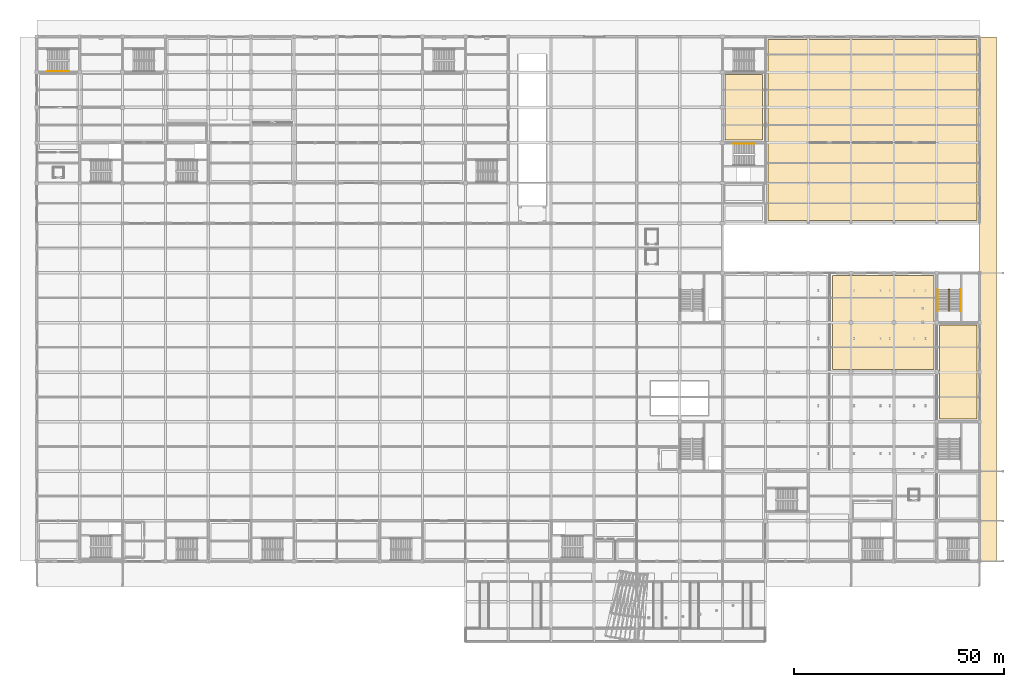
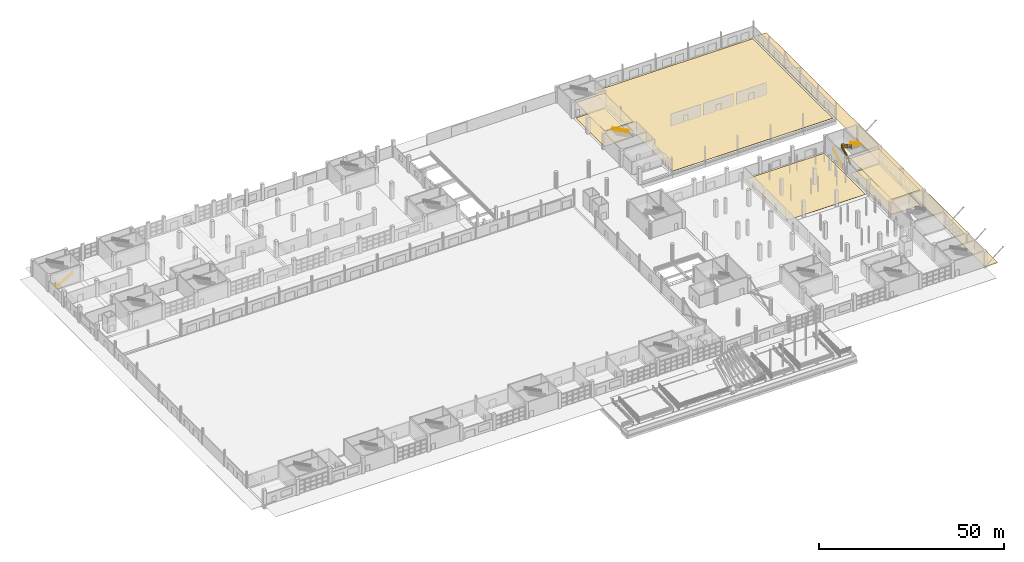
# One storey, part 121 of 124: 7 coverings, 5 railings.
"""IFC4 building model written with IfcOpenShell, lengths in metres."""

from ifc_helpers import new_model, si_unit, direction, frame, origin, origin_2d, place, context, subcontext, project, spatial, polyline, circle, outline, extrude, material, layer, layer_set, type_object, element, save


model = new_model("IFC4")

# Units and contexts
model_context = context("Model", 3, precision=1e-05, world=origin(), true_north=direction((0.0, 1.0)))
body_context = subcontext(model_context, "Body", "Model", "MODEL_VIEW")
ifc_project = project(units=[si_unit("LENGTHUNIT", "METRE"), si_unit("AREAUNIT", "SQUARE_METRE"), si_unit("VOLUMEUNIT", "CUBIC_METRE"), si_unit("PLANEANGLEUNIT", "RADIAN"), si_unit("MASSUNIT", "GRAM", prefix="KILO")], contexts=[model_context])

# Site, building, storey
site_placement = place(None, origin())
site = spatial("IfcSite", under=ifc_project, at=site_placement, CompositionType="ELEMENT")
building_placement = place(site_placement, origin())
building = spatial("IfcBuilding", under=site, at=building_placement, Name="Brelvane Convention Centre", CompositionType="ELEMENT")
storey_placement = place(building_placement, origin())
storey = spatial("IfcBuildingStorey", under=building, at=storey_placement, Name="L00", CompositionType="ELEMENT", Elevation=0.0)

# Coverings
ifc_material_1 = material(Name="Perforated Anodised Aluminium Alloy 6063 Acoustic Baffle", Category="aluminium")
ifc_layer_1 = layer(ifc_material_1, 0.090087890625)
ifc_layer_set_1 = layer_set([ifc_layer_1], Name="Perforated Anodised Aluminium Alloy 6063 Acoustic Baffle")
covering_type_1 = type_object("IfcCoveringType", Name="Interior Finish CL-BAF-90", PredefinedType="CEILING", material=ifc_layer_set_1)
covering_1_placement = place(storey_placement, frame((0.0, 0.0, 5.050048828125)))
element("IfcCovering", 1, at=covering_1_placement, inside=storey, type_object=covering_type_1, Name="Ballroom Banquet Plating Pantry Acoustic Ceiling (CL-BAF-90)", PredefinedType="CEILING", context=body_context, shape_type="SweptSolid", body=[
    extrude(outline(polyline([(163.830078125, 119.429931640625), (172.77001953125, 119.429931640625), (172.77001953125, 134.969970703125), (163.830078125, 134.969970703125), (163.830078125, 119.429931640625)])), origin(), (0.0, 0.0, 1.0), 0.08984375),
])
ifc_material_2 = material(Name="Moisture-Resistant Acoustic Gypsum Ceiling Tile Grade A")
ifc_layer_2 = layer(ifc_material_2, 0.0419921875)
ifc_layer_set_2 = layer_set([ifc_layer_2], Name="Moisture-Resistant Acoustic Gypsum Ceiling Tile Grade A")
covering_type_2 = type_object("IfcCoveringType", Name="Interior Finish CL-GYP-42", PredefinedType="CEILING", material=ifc_layer_set_2)
covering_2_placement = place(storey_placement, frame((0.0, 0.0, 5.0380859375)))
element("IfcCovering", 2, at=covering_2_placement, inside=storey, type_object=covering_type_2, Name="Broadcast OB Van Patch Room Acoustic Ceiling (CL-GYP-42)", PredefinedType="CEILING", context=body_context, shape_type="SweptSolid", body=[
    extrude(outline(polyline([(214.830078125, 53.030029296875), (223.77001953125, 53.030029296875), (223.77001953125, 75.3701171875), (214.830078125, 75.3701171875), (214.830078125, 53.030029296875)])), origin(), (0.0, 0.0, 1.0), 0.0419921875),
])
ifc_material_3 = material(Name="Heavy-Duty Quartz-Filled Industrial Epoxy Screed Grade A")
ifc_layer_3 = layer(ifc_material_3, 0.034912109375)
ifc_layer_set_3 = layer_set([ifc_layer_3], Name="Heavy-Duty Quartz-Filled Industrial Epoxy Screed Grade A")
covering_type_3 = type_object("IfcCoveringType", Name="Interior Finish FL-EPX-35", PredefinedType="FLOORING", material=ifc_layer_set_3)
covering_3_placement = place(storey_placement, origin())
element("IfcCovering", 3, at=covering_3_placement, inside=storey, type_object=covering_type_3, Name="Ballroom Banquet Plating Pantry Floor Finish (FL-EPX-35)", PredefinedType="FLOORING", context=body_context, shape_type="SweptSolid", body=[
    extrude(outline(polyline([(163.830078125, 119.429931640625), (172.77001953125, 119.429931640625), (172.77001953125, 134.969970703125), (163.830078125, 134.969970703125), (163.830078125, 119.429931640625)])), origin(), (0.0, 0.0, 1.0), 0.034912109375),
])
ifc_material_4 = material(Name="Polished Basalt-Aggregate Terrazzo Screed Concrete M30", Category="masonry")
ifc_layer_4 = layer(ifc_material_4, 0.031982421875)
ifc_layer_set_4 = layer_set([ifc_layer_4], Name="Polished Basalt-Aggregate Terrazzo Screed Concrete M30")
covering_type_4 = type_object("IfcCoveringType", Name="Interior Finish FL-STN-32", PredefinedType="FLOORING", material=ifc_layer_set_4)
covering_4_placement = place(storey_placement, origin())
element("IfcCovering", 4, at=covering_4_placement, inside=storey, type_object=covering_type_4, Name="Speaker Green Room Suite Floor Finish (FL-STN-32)", PredefinedType="FLOORING", context=body_context, shape_type="SweptSolid", body=[
    extrude(outline(polyline([(189.330078125, 64.830078125), (213.570068359375, 64.830078125), (213.570068359375, 87.169921875), (189.330078125, 87.169921875), (189.330078125, 64.830078125)])), origin(), (0.0, 0.0, 1.0), 0.031982421875),
])
ifc_material_5 = material(Name="Polished Basalt-Aggregate Terrazzo Screed Concrete M30", Category="masonry")
ifc_layer_5 = layer(ifc_material_5, 0.054931640625)
ifc_layer_set_5 = layer_set([ifc_layer_5], Name="Polished Basalt-Aggregate Terrazzo Screed Concrete M30")
covering_type_5 = type_object("IfcCoveringType", Name="Interior Finish FL-STN-55", PredefinedType="FLOORING", material=ifc_layer_set_5)
covering_5_placement = place(storey_placement, origin())
element("IfcCovering", 5, at=covering_5_placement, inside=storey, type_object=covering_type_5, Name="Broadcast OB Van Patch Room Floor Finish (FL-STN-55)", PredefinedType="FLOORING", context=body_context, shape_type="SweptSolid", body=[
    extrude(outline(polyline([(214.830078125, 53.030029296875), (223.77001953125, 53.030029296875), (223.77001953125, 75.3701171875), (214.830078125, 75.3701171875), (214.830078125, 53.030029296875)])), origin(), (0.0, 0.0, 1.0), 0.054931640625),
])
ifc_material_6 = material(Name="Polished Basalt-Aggregate Terrazzo Screed Concrete M30", Category="masonry")
ifc_layer_6 = layer(ifc_material_6, 0.0400390625)
ifc_layer_set_6 = layer_set([ifc_layer_6], Name="Polished Basalt-Aggregate Terrazzo Screed Concrete M30")
covering_type_6 = type_object("IfcCoveringType", Name="Interior Finish FL-TER-40", PredefinedType="FLOORING", material=ifc_layer_set_6)
covering_6_placement = place(storey_placement, origin())
element("IfcCovering", 6, at=covering_6_placement, inside=storey, type_object=covering_type_6, Name="Ballroom Floor Finish (FL-TER-40)", PredefinedType="FLOORING", context=body_context, shape_type="SweptSolid", body=[
    extrude(outline(polyline([(174.030029296875, 100.22998046875), (223.77001953125, 100.22998046875), (223.77001953125, 143.3701171875), (174.030029296875, 143.3701171875), (174.030029296875, 100.22998046875)])), origin(), (0.0, 0.0, 1.0), 0.0400390625),
])
ifc_material_7 = material(Name="Concrete M40", Category="concrete")
ifc_layer_7 = layer(ifc_material_7, 0.080078125)
ifc_layer_set_7 = layer_set([ifc_layer_7], Name="Concrete M40")
covering_type_7 = type_object("IfcCoveringType", Name="Outdoor Plaza Paving PV-80", PredefinedType="USERDEFINED", material=ifc_layer_set_7)
covering_7_placement = place(storey_placement, origin())
element("IfcCovering", 7, at=covering_7_placement, inside=storey, type_object=covering_type_7, Name="Outdoor Arrival Plaza Paving EAST-PROM", ObjectType="PAVING", PredefinedType="USERDEFINED", context=body_context, shape_type="SweptSolid", body=[
    extrude(outline(polyline([(224.39990234375, 19.199951171875), (228.39990234375, 19.199951171875), (228.39990234375, 144.0), (224.39990234375, 144.0), (224.39990234375, 19.199951171875)])), origin(), (0.0, 0.0, 1.0), 0.080078125),
])

# Railings
ifc_material_8 = material(Name="Steel E350 (350 MPa)", Category="steel")
railing_type_1 = type_object("IfcRailingType", Name="Stair Railing GR-ST-1", PredefinedType="GUARDRAIL", material=ifc_material_8)
railing_1_placement = place(storey_placement, frame((216.93994140625, 78.75, -0.02001953125)))
element("IfcRailing", 8, at=railing_1_placement, inside=storey, type_object=railing_type_1, Name="Stair ST-16 L00 Inner Well Guard", PredefinedType="GUARDRAIL", context=body_context, shape_type="SweptSolid", body=[
    extrude(circle(Radius=0.02392578125, at=origin_2d()), frame((0.0, 0.0, 1.1259765625), z_axis=(0.0, 0.882358787245, 0.470577273753), x_axis=(-1.0, 0.0, 0.0)), (0.0, 0.0, 1.0), 5.780029296875),
    extrude(circle(Radius=0.02392578125, at=origin_2d()), frame((0.0, 0.0, 0.597900390625), z_axis=(0.0, 0.882358787245, 0.470577273753), x_axis=(-1.0, 0.0, 0.0)), (0.0, 0.0, 1.0), 5.780029296875),
    extrude(circle(Radius=0.02392578125, at=origin_2d()), frame((0.0, 0.0, 0.139892578125), z_axis=(0.0, 0.882358787245, 0.470577273753), x_axis=(-1.0, 0.0, 0.0)), (0.0, 0.0, 1.0), 5.780029296875),
    extrude(circle(Radius=0.02392578125, at=origin_2d()), frame((0.0, 5.10009765625, 3.845947265625), z_axis=(1.0, 0.0, 0.0), x_axis=(0.0, 1.0, 0.0)), (0.0, 0.0, 1.0), 0.320068359375),
    extrude(circle(Radius=0.02392578125, at=origin_2d()), frame((0.0, 5.10009765625, 3.31787109375), z_axis=(1.0, 0.0, 0.0), x_axis=(0.0, 1.0, 0.0)), (0.0, 0.0, 1.0), 0.320068359375),
    extrude(circle(Radius=0.02392578125, at=origin_2d()), frame((0.0, 5.10009765625, 2.85986328125), z_axis=(1.0, 0.0, 0.0), x_axis=(0.0, 1.0, 0.0)), (0.0, 0.0, 1.0), 0.320068359375),
    extrude(circle(Radius=0.02392578125, at=origin_2d()), frame((0.320068359375, 5.10009765625, 3.845947265625), z_axis=(0.0, -0.885227801088, 0.465157758379), x_axis=(1.0, 0.0, 0.0)), (0.0, 0.0, 1.0), 5.76123046875),
    extrude(circle(Radius=0.02392578125, at=origin_2d()), frame((0.320068359375, 5.10009765625, 3.31787109375), z_axis=(0.0, -0.885227801088, 0.465157758379), x_axis=(1.0, 0.0, 0.0)), (0.0, 0.0, 1.0), 5.76123046875),
    extrude(circle(Radius=0.02392578125, at=origin_2d()), frame((0.320068359375, 5.10009765625, 2.85986328125), z_axis=(0.0, -0.885227801088, 0.465157758379), x_axis=(1.0, 0.0, 0.0)), (0.0, 0.0, 1.0), 5.76123046875),
    extrude(circle(Radius=0.02099609375, at=origin_2d()), origin(), (0.0, 0.0, 1.0), 1.101806640625),
    extrude(circle(Radius=0.02099609375, at=origin_2d()), frame((0.0, 1.02001953125, 0.5439453125)), (0.0, 0.0, 1.0), 1.101806640625),
    extrude(circle(Radius=0.02099609375, at=origin_2d()), frame((0.0, 2.0400390625, 1.087890625)), (0.0, 0.0, 1.0), 1.101806640625),
    extrude(circle(Radius=0.02099609375, at=origin_2d()), frame((0.0, 3.06005859375, 1.632080078125)), (0.0, 0.0, 1.0), 1.101806640625),
    extrude(circle(Radius=0.02099609375, at=origin_2d()), frame((0.0, 4.080078125, 2.176025390625)), (0.0, 0.0, 1.0), 1.101806640625),
    extrude(circle(Radius=0.02099609375, at=origin_2d()), frame((0.0, 5.10009765625, 2.719970703125)), (0.0, 0.0, 1.0), 1.101806640625),
    extrude(circle(Radius=0.02099609375, at=origin_2d()), frame((0.320068359375, 5.10009765625, 2.719970703125)), (0.0, 0.0, 1.0), 1.101806640625),
    extrude(circle(Radius=0.02099609375, at=origin_2d()), frame((0.320068359375, 4.080078125, 3.255859375)), (0.0, 0.0, 1.0), 1.101806640625),
    extrude(circle(Radius=0.02099609375, at=origin_2d()), frame((0.320068359375, 3.06005859375, 3.7919921875)), (0.0, 0.0, 1.0), 1.101806640625),
    extrude(circle(Radius=0.02099609375, at=origin_2d()), frame((0.320068359375, 2.0400390625, 4.327880859375)), (0.0, 0.0, 1.0), 1.101806640625),
    extrude(circle(Radius=0.02099609375, at=origin_2d()), frame((0.320068359375, 1.02001953125, 4.864013671875)), (0.0, 0.0, 1.0), 1.101806640625),
    extrude(circle(Radius=0.02099609375, at=origin_2d()), frame((0.320068359375, 0.0, 5.39990234375)), (0.0, 0.0, 1.0), 1.101806640625),
])
ifc_material_9 = material(Name="Steel E350 (350 MPa)", Category="steel")
railing_type_2 = type_object("IfcRailingType", Name="Stair Railing HR-ST-1", PredefinedType="HANDRAIL", material=ifc_material_9)
railing_2_placement = place(storey_placement, frame((170.85009765625, 118.570068359375, 2.699951171875)))
element("IfcRailing", 9, at=railing_2_placement, inside=storey, type_object=railing_type_2, Name="Stair ST-05 L00 Outer Handrail F2", PredefinedType="HANDRAIL", context=body_context, shape_type="SweptSolid", body=[
    extrude(circle(Radius=0.02392578125, at=origin_2d()), frame((0.0, 0.0, 0.89599609375), z_axis=(-0.885227801088, 0.0, 0.465157758379), x_axis=(0.0, -1.0, 0.0)), (0.0, 0.0, 1.0), 5.76123046875),
    extrude(circle(Radius=0.02392578125, at=origin_2d()), frame((0.0, 0.0, 0.478271484375), z_axis=(-0.885227801088, 0.0, 0.465157758379), x_axis=(0.0, -1.0, 0.0)), (0.0, 0.0, 1.0), 5.76123046875),
    extrude(circle(Radius=0.02392578125, at=origin_2d()), frame((0.0, 0.0, 0.139892578125), z_axis=(-0.885227801088, 0.0, 0.465157758379), x_axis=(0.0, -1.0, 0.0)), (0.0, 0.0, 1.0), 5.76123046875),
    extrude(circle(Radius=0.02099609375, at=origin_2d()), origin(), (0.0, 0.0, 1.0), 0.871826171875),
    extrude(circle(Radius=0.02099609375, at=origin_2d()), frame((-1.02001953125, 0.0, 0.535888671875)), (0.0, 0.0, 1.0), 0.871826171875),
    extrude(circle(Radius=0.02099609375, at=origin_2d()), frame((-2.0400390625, 0.0, 1.072021484375)), (0.0, 0.0, 1.0), 0.871826171875),
    extrude(circle(Radius=0.02099609375, at=origin_2d()), frame((-3.06005859375, 0.0, 1.60791015625)), (0.0, 0.0, 1.0), 0.871826171875),
    extrude(circle(Radius=0.02099609375, at=origin_2d()), frame((-4.080078125, 0.0, 2.14404296875)), (0.0, 0.0, 1.0), 0.871826171875),
    extrude(circle(Radius=0.02099609375, at=origin_2d()), frame((-5.10009765625, 0.0, 2.679931640625)), (0.0, 0.0, 1.0), 0.871826171875),
])
railing_3_placement = place(storey_placement, frame((214.429931640625, 78.75, -0.02001953125)))
element("IfcRailing", 10, at=railing_3_placement, inside=storey, type_object=railing_type_2, Name="Stair ST-16 L00 Outer Handrail F1", PredefinedType="HANDRAIL", context=body_context, shape_type="SweptSolid", body=[
    extrude(circle(Radius=0.02392578125, at=origin_2d()), frame((0.0, 0.0, 0.89599609375), z_axis=(0.0, 0.882358787245, 0.470577273753), x_axis=(-1.0, 0.0, 0.0)), (0.0, 0.0, 1.0), 5.780029296875),
    extrude(circle(Radius=0.02392578125, at=origin_2d()), frame((0.0, 0.0, 0.478271484375), z_axis=(0.0, 0.882358787245, 0.470577273753), x_axis=(-1.0, 0.0, 0.0)), (0.0, 0.0, 1.0), 5.780029296875),
    extrude(circle(Radius=0.02392578125, at=origin_2d()), frame((0.0, 0.0, 0.139892578125), z_axis=(0.0, 0.882358787245, 0.470577273753), x_axis=(-1.0, 0.0, 0.0)), (0.0, 0.0, 1.0), 5.780029296875),
    extrude(circle(Radius=0.02099609375, at=origin_2d()), origin(), (0.0, 0.0, 1.0), 0.871826171875),
    extrude(circle(Radius=0.02099609375, at=origin_2d()), frame((0.0, 1.02001953125, 0.5439453125)), (0.0, 0.0, 1.0), 0.871826171875),
    extrude(circle(Radius=0.02099609375, at=origin_2d()), frame((0.0, 2.0400390625, 1.087890625)), (0.0, 0.0, 1.0), 0.871826171875),
    extrude(circle(Radius=0.02099609375, at=origin_2d()), frame((0.0, 3.06005859375, 1.632080078125)), (0.0, 0.0, 1.0), 0.871826171875),
    extrude(circle(Radius=0.02099609375, at=origin_2d()), frame((0.0, 4.080078125, 2.176025390625)), (0.0, 0.0, 1.0), 0.871826171875),
    extrude(circle(Radius=0.02099609375, at=origin_2d()), frame((0.0, 5.10009765625, 2.719970703125)), (0.0, 0.0, 1.0), 0.871826171875),
])
railing_4_placement = place(storey_placement, frame((219.77001953125, 83.85009765625, 2.699951171875)))
element("IfcRailing", 11, at=railing_4_placement, inside=storey, type_object=railing_type_2, Name="Stair ST-16 L00 Outer Handrail F2", PredefinedType="HANDRAIL", context=body_context, shape_type="SweptSolid", body=[
    extrude(circle(Radius=0.02392578125, at=origin_2d()), frame((0.0, 0.0, 0.89599609375), z_axis=(0.0, -0.885227801088, 0.465157758379), x_axis=(1.0, 0.0, 0.0)), (0.0, 0.0, 1.0), 5.76123046875),
    extrude(circle(Radius=0.02392578125, at=origin_2d()), frame((0.0, 0.0, 0.478271484375), z_axis=(0.0, -0.885227801088, 0.465157758379), x_axis=(1.0, 0.0, 0.0)), (0.0, 0.0, 1.0), 5.76123046875),
    extrude(circle(Radius=0.02392578125, at=origin_2d()), frame((0.0, 0.0, 0.139892578125), z_axis=(0.0, -0.885227801088, 0.465157758379), x_axis=(1.0, 0.0, 0.0)), (0.0, 0.0, 1.0), 5.76123046875),
    extrude(circle(Radius=0.02099609375, at=origin_2d()), origin(), (0.0, 0.0, 1.0), 0.871826171875),
    extrude(circle(Radius=0.02099609375, at=origin_2d()), frame((0.0, -1.02001953125, 0.535888671875)), (0.0, 0.0, 1.0), 0.871826171875),
    extrude(circle(Radius=0.02099609375, at=origin_2d()), frame((0.0, -2.0400390625, 1.072021484375)), (0.0, 0.0, 1.0), 0.871826171875),
    extrude(circle(Radius=0.02099609375, at=origin_2d()), frame((0.0, -3.06005859375, 1.60791015625)), (0.0, 0.0, 1.0), 0.871826171875),
    extrude(circle(Radius=0.02099609375, at=origin_2d()), frame((0.0, -4.080078125, 2.14404296875)), (0.0, 0.0, 1.0), 0.871826171875),
    extrude(circle(Radius=0.02099609375, at=origin_2d()), frame((0.0, -5.10009765625, 2.679931640625)), (0.0, 0.0, 1.0), 0.871826171875),
])
railing_5_placement = place(storey_placement, frame((2.550048828125, 135.830078125, -0.02001953125)))
element("IfcRailing", 12, at=railing_5_placement, inside=storey, type_object=railing_type_2, Name="Stair ST-17 L00 Outer Handrail F1", PredefinedType="HANDRAIL", context=body_context, shape_type="SweptSolid", body=[
    extrude(circle(Radius=0.02392578125, at=origin_2d()), frame((0.0, 0.0, 0.89599609375), z_axis=(0.88234943334, 0.0, 0.470594812429), x_axis=(0.0, 1.0, 0.0)), (0.0, 0.0, 1.0), 5.77978515625),
    extrude(circle(Radius=0.02392578125, at=origin_2d()), frame((0.0, 0.0, 0.478271484375), z_axis=(0.88234943334, 0.0, 0.470594812429), x_axis=(0.0, 1.0, 0.0)), (0.0, 0.0, 1.0), 5.77978515625),
    extrude(circle(Radius=0.02392578125, at=origin_2d()), frame((0.0, 0.0, 0.139892578125), z_axis=(0.88234943334, 0.0, 0.470594812429), x_axis=(0.0, 1.0, 0.0)), (0.0, 0.0, 1.0), 5.77978515625),
    extrude(circle(Radius=0.02099609375, at=origin_2d()), origin(), (0.0, 0.0, 1.0), 0.871826171875),
    extrude(circle(Radius=0.02099609375, at=origin_2d()), frame((1.02001953125, 0.0, 0.5439453125)), (0.0, 0.0, 1.0), 0.871826171875),
    extrude(circle(Radius=0.02099609375, at=origin_2d()), frame((2.0400390625, 0.0, 1.087890625)), (0.0, 0.0, 1.0), 0.871826171875),
    extrude(circle(Radius=0.02099609375, at=origin_2d()), frame((3.059814453125, 0.0, 1.632080078125)), (0.0, 0.0, 1.0), 0.871826171875),
    extrude(circle(Radius=0.02099609375, at=origin_2d()), frame((4.079833984375, 0.0, 2.176025390625)), (0.0, 0.0, 1.0), 0.871826171875),
    extrude(circle(Radius=0.02099609375, at=origin_2d()), frame((5.099853515625, 0.0, 2.719970703125)), (0.0, 0.0, 1.0), 0.871826171875),
])

save(model, "model.ifc")
